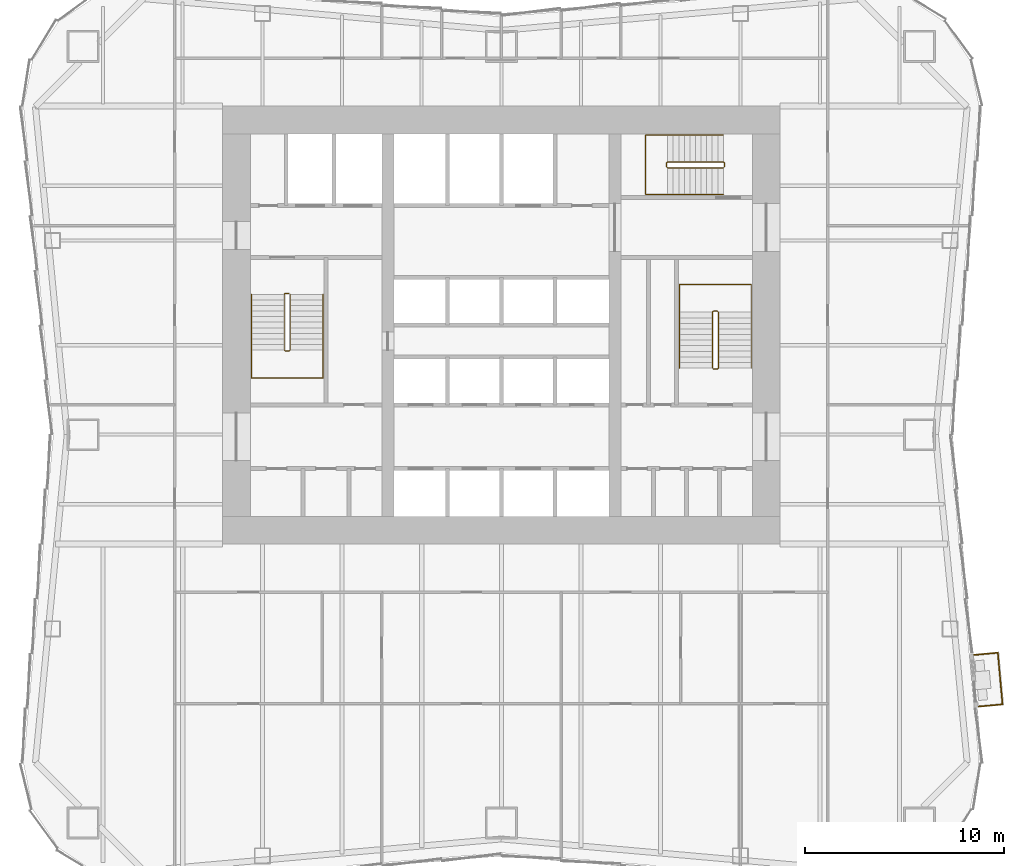
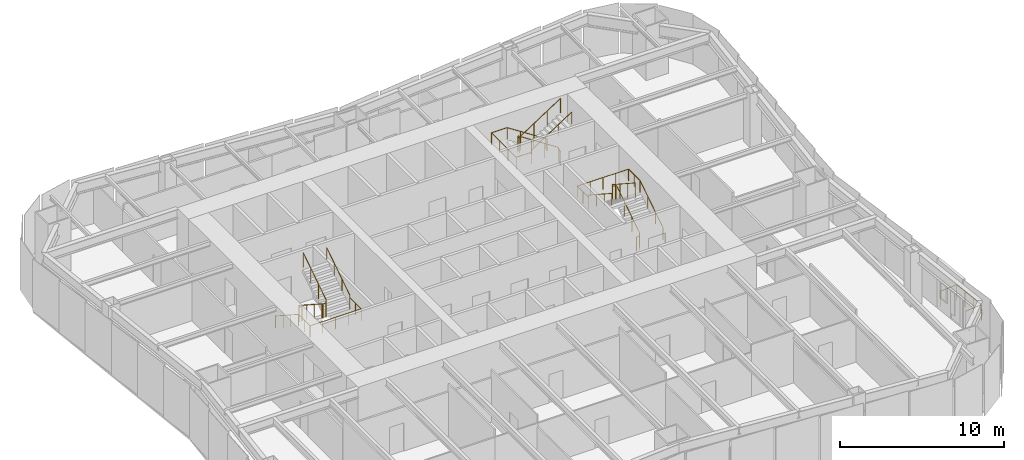
# One storey, part 7 of 8: 7 railings.
"""IFC4 building model written with IfcOpenShell, lengths in metres."""

from ifc_helpers import new_model, si_unit, direction, frame, origin, origin_2d, place, context, subcontext, project, spatial, circle, extrude, material, type_object, element, save


model = new_model("IFC4")

# Units and contexts
model_context = context("Model", 3, precision=1e-05, world=origin(), true_north=direction((0.0, 1.0)))
body_context = subcontext(model_context, "Body", "Model", "MODEL_VIEW")
ifc_project = project(units=[si_unit("LENGTHUNIT", "METRE"), si_unit("AREAUNIT", "SQUARE_METRE"), si_unit("VOLUMEUNIT", "CUBIC_METRE"), si_unit("PLANEANGLEUNIT", "RADIAN"), si_unit("MASSUNIT", "GRAM", prefix="KILO")], contexts=[model_context])

# Site, building, storey
site_placement = place(None, origin())
site = spatial("IfcSite", under=ifc_project, at=site_placement, CompositionType="ELEMENT")
building_placement = place(site_placement, origin())
building = spatial("IfcBuilding", under=site, at=building_placement, Name="Verdant Reach Tower", CompositionType="ELEMENT")
storey_placement = place(building_placement, frame((0.0, 0.0, 42.0)))
storey = spatial("IfcBuildingStorey", under=building, at=storey_placement, Name="L09", CompositionType="ELEMENT", Elevation=42.0)

# Railings
ifc_material_1 = material(Name="Stainless steel", Category="steel")
railing_type_1 = type_object("IfcRailingType", Name="CO-GUARD", PredefinedType="GUARDRAIL", material=ifc_material_1)
railing_1_placement = place(storey_placement, frame((-10.64990234375, 29.60009765625, 0.0)))
element("IfcRailing", 1, at=railing_1_placement, inside=storey, type_object=railing_type_1, Name="L09 ST-1 stair guard 1", PredefinedType="GUARDRAIL", context=body_context, shape_type="SweptSolid", body=[
    extrude(circle(Radius=0.02392578125, at=origin_2d()), frame((0.0, 0.0, 1.076171875), z_axis=(-1.0, 0.0, 0.0), x_axis=(0.0, -1.0, 0.0)), (0.0, 0.0, 1.0), 0.2001953125),
    extrude(circle(Radius=0.02392578125, at=origin_2d()), frame((-0.2001953125, 0.0, 1.076171875), z_axis=(-0.25526617399, -0.256517478764, 0.932222056972), x_axis=(0.708833529934, -0.705375805398, 0.0)), (0.0, 0.0, 1.0), 0.195068359375),
    extrude(circle(Radius=0.02392578125, at=origin_2d()), frame((-0.25, -0.050048828125, 1.2578125), z_axis=(0.0, -0.838705829183, 0.544584733623), x_axis=(1.0, 0.0, 0.0)), (0.0, 0.0, 1.0), 3.338623046875),
    extrude(circle(Radius=0.02392578125, at=origin_2d()), frame((-0.25, -2.85009765625, 3.076171875), z_axis=(0.705375805398, -0.708833529934, 0.0), x_axis=(0.708833529934, 0.705375805398, 0.0)), (0.0, 0.0, 1.0), 0.070556640625),
    extrude(circle(Radius=0.02392578125, at=origin_2d()), frame((-0.2001953125, -2.900146484375, 3.076171875), z_axis=(1.0, 0.0, 0.0), x_axis=(0.0, 1.0, 0.0)), (0.0, 0.0, 1.0), 0.2001953125),
    extrude(circle(Radius=0.02392578125, at=origin_2d()), frame((0.0, -2.900146484375, 3.076171875), z_axis=(0.25526617399, 0.256517478764, 0.932222056972), x_axis=(-0.708833529934, 0.705375805398, 0.0)), (0.0, 0.0, 1.0), 0.195068359375),
    extrude(circle(Radius=0.02392578125, at=origin_2d()), frame((0.0498046875, -2.85009765625, 3.2578125), z_axis=(0.0, 0.838705829183, 0.544584733623), x_axis=(-1.0, 0.0, 0.0)), (0.0, 0.0, 1.0), 3.338623046875),
    extrude(circle(Radius=0.02099609375, at=origin_2d()), origin(), (0.0, 0.0, 1.0), 1.052001953125),
    extrude(circle(Radius=0.02099609375, at=origin_2d()), frame((-0.2001953125, 0.0, 0.0)), (0.0, 0.0, 1.0), 1.052001953125),
    extrude(circle(Radius=0.02099609375, at=origin_2d()), frame((-0.25, -0.050048828125, 0.181884765625)), (0.0, 0.0, 1.0), 1.052001953125),
    extrude(circle(Radius=0.02099609375, at=origin_2d()), frame((-0.25, -0.9833984375, 0.787841796875)), (0.0, 0.0, 1.0), 1.052001953125),
    extrude(circle(Radius=0.02099609375, at=origin_2d()), frame((-0.25, -1.916748046875, 1.39404296875)), (0.0, 0.0, 1.0), 1.052001953125),
    extrude(circle(Radius=0.02099609375, at=origin_2d()), frame((-0.25, -2.85009765625, 2.0)), (0.0, 0.0, 1.0), 1.052001953125),
    extrude(circle(Radius=0.02099609375, at=origin_2d()), frame((-0.2001953125, -2.900146484375, 2.0)), (0.0, 0.0, 1.0), 1.052001953125),
    extrude(circle(Radius=0.02099609375, at=origin_2d()), frame((0.0, -2.900146484375, 2.0)), (0.0, 0.0, 1.0), 1.052001953125),
    extrude(circle(Radius=0.02099609375, at=origin_2d()), frame((0.0498046875, -2.85009765625, 2.181884765625)), (0.0, 0.0, 1.0), 1.052001953125),
    extrude(circle(Radius=0.02099609375, at=origin_2d()), frame((0.0498046875, -1.916748046875, 2.787841796875)), (0.0, 0.0, 1.0), 1.052001953125),
    extrude(circle(Radius=0.02099609375, at=origin_2d()), frame((0.0498046875, -0.9833984375, 3.39404296875)), (0.0, 0.0, 1.0), 1.052001953125),
    extrude(circle(Radius=0.02099609375, at=origin_2d()), frame((0.0498046875, -0.050048828125, 4.0)), (0.0, 0.0, 1.0), 1.052001953125),
])
railing_2_placement = place(storey_placement, frame((10.64990234375, 25.800048828125, 0.0)))
element("IfcRailing", 2, at=railing_2_placement, inside=storey, type_object=railing_type_1, Name="L09 ST-2 stair guard 1", PredefinedType="GUARDRAIL", context=body_context, shape_type="SweptSolid", body=[
    extrude(circle(Radius=0.02392578125, at=origin_2d()), frame((0.0, 0.0, 1.076171875), z_axis=(1.0, 0.0, 0.0), x_axis=(0.0, 1.0, 0.0)), (0.0, 0.0, 1.0), 0.2001953125),
    extrude(circle(Radius=0.02392578125, at=origin_2d()), frame((0.2001953125, 0.0, 1.076171875), z_axis=(0.25526617399, 0.256517478764, 0.932222056972), x_axis=(-0.708833529934, 0.705375805398, 0.0)), (0.0, 0.0, 1.0), 0.195068359375),
    extrude(circle(Radius=0.02392578125, at=origin_2d()), frame((0.25, 0.050048828125, 1.2578125), z_axis=(0.0, 0.83868413941, 0.544618136222), x_axis=(-1.0, 0.0, 0.0)), (0.0, 0.0, 1.0), 3.33837890625),
    extrude(circle(Radius=0.02392578125, at=origin_2d()), frame((0.25, 2.849853515625, 3.076171875), z_axis=(-0.705375805398, 0.708833529934, 0.0), x_axis=(-0.708833529934, -0.705375805398, 0.0)), (0.0, 0.0, 1.0), 0.070556640625),
    extrude(circle(Radius=0.02392578125, at=origin_2d()), frame((0.2001953125, 2.89990234375, 3.076171875), z_axis=(-1.0, 0.0, 0.0), x_axis=(0.0, -1.0, 0.0)), (0.0, 0.0, 1.0), 0.2001953125),
    extrude(circle(Radius=0.02392578125, at=origin_2d()), frame((0.0, 2.89990234375, 3.076171875), z_axis=(-0.25526617399, -0.256517478764, 0.932222056972), x_axis=(0.708833529934, -0.705375805398, 0.0)), (0.0, 0.0, 1.0), 0.195068359375),
    extrude(circle(Radius=0.02392578125, at=origin_2d()), frame((-0.0498046875, 2.849853515625, 3.2578125), z_axis=(0.0, -0.83868413941, 0.544618136222), x_axis=(1.0, 0.0, 0.0)), (0.0, 0.0, 1.0), 3.33837890625),
    extrude(circle(Radius=0.02099609375, at=origin_2d()), origin(), (0.0, 0.0, 1.0), 1.052001953125),
    extrude(circle(Radius=0.02099609375, at=origin_2d()), frame((0.2001953125, 0.0, 0.0)), (0.0, 0.0, 1.0), 1.052001953125),
    extrude(circle(Radius=0.02099609375, at=origin_2d()), frame((0.25, 0.050048828125, 0.181884765625)), (0.0, 0.0, 1.0), 1.052001953125),
    extrude(circle(Radius=0.02099609375, at=origin_2d()), frame((0.25, 0.9833984375, 0.787841796875)), (0.0, 0.0, 1.0), 1.052001953125),
    extrude(circle(Radius=0.02099609375, at=origin_2d()), frame((0.25, 1.91650390625, 1.39404296875)), (0.0, 0.0, 1.0), 1.052001953125),
    extrude(circle(Radius=0.02099609375, at=origin_2d()), frame((0.25, 2.849853515625, 2.0)), (0.0, 0.0, 1.0), 1.052001953125),
    extrude(circle(Radius=0.02099609375, at=origin_2d()), frame((0.2001953125, 2.89990234375, 2.0)), (0.0, 0.0, 1.0), 1.052001953125),
    extrude(circle(Radius=0.02099609375, at=origin_2d()), frame((0.0, 2.89990234375, 2.0)), (0.0, 0.0, 1.0), 1.052001953125),
    extrude(circle(Radius=0.02099609375, at=origin_2d()), frame((-0.0498046875, 2.849853515625, 2.181884765625)), (0.0, 0.0, 1.0), 1.052001953125),
    extrude(circle(Radius=0.02099609375, at=origin_2d()), frame((-0.0498046875, 1.91650390625, 2.787841796875)), (0.0, 0.0, 1.0), 1.052001953125),
    extrude(circle(Radius=0.02099609375, at=origin_2d()), frame((-0.0498046875, 0.9833984375, 3.39404296875)), (0.0, 0.0, 1.0), 1.052001953125),
    extrude(circle(Radius=0.02099609375, at=origin_2d()), frame((-0.0498046875, 0.050048828125, 4.0)), (0.0, 0.0, 1.0), 1.052001953125),
])
railing_3_placement = place(storey_placement, frame((11.199951171875, 35.949951171875, 0.0)))
element("IfcRailing", 3, at=railing_3_placement, inside=storey, type_object=railing_type_1, Name="L09 ST-3 stair guard 1", PredefinedType="GUARDRAIL", context=body_context, shape_type="SweptSolid", body=[
    extrude(circle(Radius=0.02392578125, at=origin_2d()), frame((0.0, 0.0, 1.076171875), z_axis=(0.0, 1.0, 0.0), x_axis=(-1.0, 0.0, 0.0)), (0.0, 0.0, 1.0), 0.199951171875),
    extrude(circle(Radius=0.02392578125, at=origin_2d()), frame((0.0, 0.199951171875, 1.076171875), z_axis=(-0.256435381639, 0.256435381639, 0.931923704005), x_axis=(-0.707106781187, -0.707106781187, 0.0)), (0.0, 0.0, 1.0), 0.195068359375),
    extrude(circle(Radius=0.02392578125, at=origin_2d()), frame((-0.050048828125, 0.25, 1.2578125), z_axis=(-0.83868413941, 0.0, 0.544618136222), x_axis=(0.0, -1.0, 0.0)), (0.0, 0.0, 1.0), 3.33837890625),
    extrude(circle(Radius=0.02392578125, at=origin_2d()), frame((-2.849853515625, 0.25, 3.076171875), z_axis=(-0.707106781187, -0.707106781187, 0.0), x_axis=(0.707106781187, -0.707106781187, 0.0)), (0.0, 0.0, 1.0), 0.07080078125),
    extrude(circle(Radius=0.02392578125, at=origin_2d()), frame((-2.89990234375, 0.199951171875, 3.076171875), z_axis=(0.0, -1.0, 0.0), x_axis=(1.0, 0.0, 0.0)), (0.0, 0.0, 1.0), 0.199951171875),
    extrude(circle(Radius=0.02392578125, at=origin_2d()), frame((-2.89990234375, 0.0, 3.076171875), z_axis=(0.256435381639, -0.256435381639, 0.931923704005), x_axis=(0.707106781187, 0.707106781187, 0.0)), (0.0, 0.0, 1.0), 0.195068359375),
    extrude(circle(Radius=0.02392578125, at=origin_2d()), frame((-2.849853515625, -0.050048828125, 3.2578125), z_axis=(0.83868413941, 0.0, 0.544618136222), x_axis=(0.0, 1.0, 0.0)), (0.0, 0.0, 1.0), 3.33837890625),
    extrude(circle(Radius=0.02099609375, at=origin_2d()), origin(), (0.0, 0.0, 1.0), 1.052001953125),
    extrude(circle(Radius=0.02099609375, at=origin_2d()), frame((0.0, 0.199951171875, 0.0)), (0.0, 0.0, 1.0), 1.052001953125),
    extrude(circle(Radius=0.02099609375, at=origin_2d()), frame((-0.050048828125, 0.25, 0.181884765625)), (0.0, 0.0, 1.0), 1.052001953125),
    extrude(circle(Radius=0.02099609375, at=origin_2d()), frame((-0.9833984375, 0.25, 0.787841796875)), (0.0, 0.0, 1.0), 1.052001953125),
    extrude(circle(Radius=0.02099609375, at=origin_2d()), frame((-1.91650390625, 0.25, 1.39404296875)), (0.0, 0.0, 1.0), 1.052001953125),
    extrude(circle(Radius=0.02099609375, at=origin_2d()), frame((-2.849853515625, 0.25, 2.0)), (0.0, 0.0, 1.0), 1.052001953125),
    extrude(circle(Radius=0.02099609375, at=origin_2d()), frame((-2.89990234375, 0.199951171875, 2.0)), (0.0, 0.0, 1.0), 1.052001953125),
    extrude(circle(Radius=0.02099609375, at=origin_2d()), frame((-2.89990234375, 0.0, 2.0)), (0.0, 0.0, 1.0), 1.052001953125),
    extrude(circle(Radius=0.02099609375, at=origin_2d()), frame((-2.849853515625, -0.050048828125, 2.181884765625)), (0.0, 0.0, 1.0), 1.052001953125),
    extrude(circle(Radius=0.02099609375, at=origin_2d()), frame((-1.91650390625, -0.050048828125, 2.787841796875)), (0.0, 0.0, 1.0), 1.052001953125),
    extrude(circle(Radius=0.02099609375, at=origin_2d()), frame((-0.9833984375, -0.050048828125, 3.39404296875)), (0.0, 0.0, 1.0), 1.052001953125),
    extrude(circle(Radius=0.02099609375, at=origin_2d()), frame((-0.050048828125, -0.050048828125, 4.0)), (0.0, 0.0, 1.0), 1.052001953125),
])
railing_type_2 = type_object("IfcRailingType", Name="CO-HANDRAIL", PredefinedType="HANDRAIL", material=ifc_material_1)
railing_4_placement = place(storey_placement, frame((-12.550048828125, 29.550048828125, 0.181884765625)))
element("IfcRailing", 4, at=railing_4_placement, inside=storey, type_object=railing_type_2, Name="L09 ST-1 stair handrail 1", PredefinedType="HANDRAIL", context=body_context, shape_type="SweptSolid", body=[
    extrude(circle(Radius=0.02392578125, at=origin_2d()), frame((0.0, 0.0, 0.8759765625), z_axis=(0.0, -0.838705829183, 0.544584733623), x_axis=(1.0, 0.0, 0.0)), (0.0, 0.0, 1.0), 3.338623046875),
    extrude(circle(Radius=0.02392578125, at=origin_2d()), frame((0.0, -2.800048828125, 2.69384765625), z_axis=(0.0, -1.0, 0.0), x_axis=(1.0, 0.0, 0.0)), (0.0, 0.0, 1.0), 1.39990234375),
    extrude(circle(Radius=0.02392578125, at=origin_2d()), frame((0.0, -4.199951171875, 2.69384765625), z_axis=(1.0, 0.0, 0.0), x_axis=(0.0, 1.0, 0.0)), (0.0, 0.0, 1.0), 3.60009765625),
    extrude(circle(Radius=0.02392578125, at=origin_2d()), frame((3.60009765625, -4.199951171875, 2.69384765625), z_axis=(0.0, 1.0, 0.0), x_axis=(-1.0, 0.0, 0.0)), (0.0, 0.0, 1.0), 1.39990234375),
    extrude(circle(Radius=0.02392578125, at=origin_2d()), frame((3.60009765625, -2.800048828125, 2.69384765625), z_axis=(0.0, 0.0, 1.0), x_axis=(1.0, 0.0, 0.0)), (0.0, 0.0, 1.0), 0.181884765625),
    extrude(circle(Radius=0.02392578125, at=origin_2d()), frame((3.60009765625, -2.800048828125, 2.8759765625), z_axis=(0.0, 0.838705829183, 0.544584733623), x_axis=(-1.0, 0.0, 0.0)), (0.0, 0.0, 1.0), 3.338623046875),
    extrude(circle(Radius=0.02099609375, at=origin_2d()), origin(), (0.0, 0.0, 1.0), 0.851806640625),
    extrude(circle(Radius=0.02099609375, at=origin_2d()), frame((0.0, -0.933349609375, 0.60595703125)), (0.0, 0.0, 1.0), 0.851806640625),
    extrude(circle(Radius=0.02099609375, at=origin_2d()), frame((0.0, -1.86669921875, 1.212158203125)), (0.0, 0.0, 1.0), 0.851806640625),
    extrude(circle(Radius=0.02099609375, at=origin_2d()), frame((0.0, -2.800048828125, 1.818115234375)), (0.0, 0.0, 1.0), 0.851806640625),
    extrude(circle(Radius=0.02099609375, at=origin_2d()), frame((0.0, -3.5, 1.818115234375)), (0.0, 0.0, 1.0), 0.851806640625),
    extrude(circle(Radius=0.02099609375, at=origin_2d()), frame((0.0, -4.199951171875, 1.818115234375)), (0.0, 0.0, 1.0), 0.851806640625),
    extrude(circle(Radius=0.02099609375, at=origin_2d()), frame((0.89990234375, -4.199951171875, 1.818115234375)), (0.0, 0.0, 1.0), 0.851806640625),
    extrude(circle(Radius=0.02099609375, at=origin_2d()), frame((1.800048828125, -4.199951171875, 1.818115234375)), (0.0, 0.0, 1.0), 0.851806640625),
    extrude(circle(Radius=0.02099609375, at=origin_2d()), frame((2.7001953125, -4.199951171875, 1.818115234375)), (0.0, 0.0, 1.0), 0.851806640625),
    extrude(circle(Radius=0.02099609375, at=origin_2d()), frame((3.60009765625, -4.199951171875, 1.818115234375)), (0.0, 0.0, 1.0), 0.851806640625),
    extrude(circle(Radius=0.02099609375, at=origin_2d()), frame((3.60009765625, -3.5, 1.818115234375)), (0.0, 0.0, 1.0), 0.851806640625),
    extrude(circle(Radius=0.02099609375, at=origin_2d()), frame((3.60009765625, -2.800048828125, 1.818115234375)), (0.0, 0.0, 1.0), 0.851806640625),
    extrude(circle(Radius=0.02099609375, at=origin_2d()), frame((3.60009765625, -2.800048828125, 2.0)), (0.0, 0.0, 1.0), 0.851806640625),
    extrude(circle(Radius=0.02099609375, at=origin_2d()), frame((3.60009765625, -1.86669921875, 2.60595703125)), (0.0, 0.0, 1.0), 0.851806640625),
    extrude(circle(Radius=0.02099609375, at=origin_2d()), frame((3.60009765625, -0.933349609375, 3.212158203125)), (0.0, 0.0, 1.0), 0.851806640625),
    extrude(circle(Radius=0.02099609375, at=origin_2d()), frame((3.60009765625, 0.0, 3.818115234375)), (0.0, 0.0, 1.0), 0.851806640625),
])
railing_5_placement = place(storey_placement, frame((12.550048828125, 25.85009765625, 0.181884765625)))
element("IfcRailing", 5, at=railing_5_placement, inside=storey, type_object=railing_type_2, Name="L09 ST-2 stair handrail 1", PredefinedType="HANDRAIL", context=body_context, shape_type="SweptSolid", body=[
    extrude(circle(Radius=0.02392578125, at=origin_2d()), frame((0.0, 0.0, 0.8759765625), z_axis=(0.0, 0.83868413941, 0.544618136222), x_axis=(-1.0, 0.0, 0.0)), (0.0, 0.0, 1.0), 3.33837890625),
    extrude(circle(Radius=0.02392578125, at=origin_2d()), frame((0.0, 2.7998046875, 2.69384765625), z_axis=(0.0, 1.0, 0.0), x_axis=(-1.0, 0.0, 0.0)), (0.0, 0.0, 1.0), 1.400146484375),
    extrude(circle(Radius=0.02392578125, at=origin_2d()), frame((0.0, 4.199951171875, 2.69384765625), z_axis=(-1.0, 0.0, 0.0), x_axis=(0.0, -1.0, 0.0)), (0.0, 0.0, 1.0), 3.60009765625),
    extrude(circle(Radius=0.02392578125, at=origin_2d()), frame((-3.60009765625, 4.199951171875, 2.69384765625), z_axis=(0.0, -1.0, 0.0), x_axis=(1.0, 0.0, 0.0)), (0.0, 0.0, 1.0), 1.400146484375),
    extrude(circle(Radius=0.02392578125, at=origin_2d()), frame((-3.60009765625, 2.7998046875, 2.69384765625), z_axis=(0.0, 0.0, 1.0), x_axis=(1.0, 0.0, 0.0)), (0.0, 0.0, 1.0), 0.181884765625),
    extrude(circle(Radius=0.02392578125, at=origin_2d()), frame((-3.60009765625, 2.7998046875, 2.8759765625), z_axis=(0.0, -0.83868413941, 0.544618136222), x_axis=(1.0, 0.0, 0.0)), (0.0, 0.0, 1.0), 3.33837890625),
    extrude(circle(Radius=0.02099609375, at=origin_2d()), origin(), (0.0, 0.0, 1.0), 0.851806640625),
    extrude(circle(Radius=0.02099609375, at=origin_2d()), frame((0.0, 0.933349609375, 0.60595703125)), (0.0, 0.0, 1.0), 0.851806640625),
    extrude(circle(Radius=0.02099609375, at=origin_2d()), frame((0.0, 1.866455078125, 1.212158203125)), (0.0, 0.0, 1.0), 0.851806640625),
    extrude(circle(Radius=0.02099609375, at=origin_2d()), frame((0.0, 2.7998046875, 1.818115234375)), (0.0, 0.0, 1.0), 0.851806640625),
    extrude(circle(Radius=0.02099609375, at=origin_2d()), frame((0.0, 3.5, 1.818115234375)), (0.0, 0.0, 1.0), 0.851806640625),
    extrude(circle(Radius=0.02099609375, at=origin_2d()), frame((0.0, 4.199951171875, 1.818115234375)), (0.0, 0.0, 1.0), 0.851806640625),
    extrude(circle(Radius=0.02099609375, at=origin_2d()), frame((-0.89990234375, 4.199951171875, 1.818115234375)), (0.0, 0.0, 1.0), 0.851806640625),
    extrude(circle(Radius=0.02099609375, at=origin_2d()), frame((-1.800048828125, 4.199951171875, 1.818115234375)), (0.0, 0.0, 1.0), 0.851806640625),
    extrude(circle(Radius=0.02099609375, at=origin_2d()), frame((-2.7001953125, 4.199951171875, 1.818115234375)), (0.0, 0.0, 1.0), 0.851806640625),
    extrude(circle(Radius=0.02099609375, at=origin_2d()), frame((-3.60009765625, 4.199951171875, 1.818115234375)), (0.0, 0.0, 1.0), 0.851806640625),
    extrude(circle(Radius=0.02099609375, at=origin_2d()), frame((-3.60009765625, 3.5, 1.818115234375)), (0.0, 0.0, 1.0), 0.851806640625),
    extrude(circle(Radius=0.02099609375, at=origin_2d()), frame((-3.60009765625, 2.7998046875, 1.818115234375)), (0.0, 0.0, 1.0), 0.851806640625),
    extrude(circle(Radius=0.02099609375, at=origin_2d()), frame((-3.60009765625, 2.7998046875, 2.0)), (0.0, 0.0, 1.0), 0.851806640625),
    extrude(circle(Radius=0.02099609375, at=origin_2d()), frame((-3.60009765625, 1.866455078125, 2.60595703125)), (0.0, 0.0, 1.0), 0.851806640625),
    extrude(circle(Radius=0.02099609375, at=origin_2d()), frame((-3.60009765625, 0.933349609375, 3.212158203125)), (0.0, 0.0, 1.0), 0.851806640625),
    extrude(circle(Radius=0.02099609375, at=origin_2d()), frame((-3.60009765625, 0.0, 3.818115234375)), (0.0, 0.0, 1.0), 0.851806640625),
])
railing_6_placement = place(storey_placement, frame((11.14990234375, 37.550048828125, 0.181884765625)))
element("IfcRailing", 6, at=railing_6_placement, inside=storey, type_object=railing_type_2, Name="L09 ST-3 stair handrail 1", PredefinedType="HANDRAIL", context=body_context, shape_type="SweptSolid", body=[
    extrude(circle(Radius=0.02392578125, at=origin_2d()), frame((0.0, 0.0, 0.8759765625), z_axis=(-0.83868413941, 0.0, 0.544618136222), x_axis=(0.0, -1.0, 0.0)), (0.0, 0.0, 1.0), 3.33837890625),
    extrude(circle(Radius=0.02392578125, at=origin_2d()), frame((-2.7998046875, 0.0, 2.69384765625), z_axis=(-1.0, 0.0, 0.0), x_axis=(0.0, -1.0, 0.0)), (0.0, 0.0, 1.0), 1.10009765625),
    extrude(circle(Radius=0.02392578125, at=origin_2d()), frame((-3.89990234375, 0.0, 2.69384765625), z_axis=(0.0, -1.0, 0.0), x_axis=(1.0, 0.0, 0.0)), (0.0, 0.0, 1.0), 3.0),
    extrude(circle(Radius=0.02392578125, at=origin_2d()), frame((-3.89990234375, -3.0, 2.69384765625), z_axis=(1.0, 0.0, 0.0), x_axis=(0.0, 1.0, 0.0)), (0.0, 0.0, 1.0), 1.10009765625),
    extrude(circle(Radius=0.02392578125, at=origin_2d()), frame((-2.7998046875, -3.0, 2.69384765625), z_axis=(0.0, 0.0, 1.0), x_axis=(1.0, 0.0, 0.0)), (0.0, 0.0, 1.0), 0.181884765625),
    extrude(circle(Radius=0.02392578125, at=origin_2d()), frame((-2.7998046875, -3.0, 2.8759765625), z_axis=(0.83868413941, 0.0, 0.544618136222), x_axis=(0.0, 1.0, 0.0)), (0.0, 0.0, 1.0), 3.33837890625),
    extrude(circle(Radius=0.02099609375, at=origin_2d()), origin(), (0.0, 0.0, 1.0), 0.851806640625),
    extrude(circle(Radius=0.02099609375, at=origin_2d()), frame((-0.933349609375, 0.0, 0.60595703125)), (0.0, 0.0, 1.0), 0.851806640625),
    extrude(circle(Radius=0.02099609375, at=origin_2d()), frame((-1.866455078125, 0.0, 1.212158203125)), (0.0, 0.0, 1.0), 0.851806640625),
    extrude(circle(Radius=0.02099609375, at=origin_2d()), frame((-2.7998046875, 0.0, 1.818115234375)), (0.0, 0.0, 1.0), 0.851806640625),
    extrude(circle(Radius=0.02099609375, at=origin_2d()), frame((-3.89990234375, 0.0, 1.818115234375)), (0.0, 0.0, 1.0), 0.851806640625),
    extrude(circle(Radius=0.02099609375, at=origin_2d()), frame((-3.89990234375, -1.0, 1.818115234375)), (0.0, 0.0, 1.0), 0.851806640625),
    extrude(circle(Radius=0.02099609375, at=origin_2d()), frame((-3.89990234375, -2.0, 1.818115234375)), (0.0, 0.0, 1.0), 0.851806640625),
    extrude(circle(Radius=0.02099609375, at=origin_2d()), frame((-3.89990234375, -3.0, 1.818115234375)), (0.0, 0.0, 1.0), 0.851806640625),
    extrude(circle(Radius=0.02099609375, at=origin_2d()), frame((-2.7998046875, -3.0, 1.818115234375)), (0.0, 0.0, 1.0), 0.851806640625),
    extrude(circle(Radius=0.02099609375, at=origin_2d()), frame((-2.7998046875, -3.0, 2.0)), (0.0, 0.0, 1.0), 0.851806640625),
    extrude(circle(Radius=0.02099609375, at=origin_2d()), frame((-1.866455078125, -3.0, 2.60595703125)), (0.0, 0.0, 1.0), 0.851806640625),
    extrude(circle(Radius=0.02099609375, at=origin_2d()), frame((-0.933349609375, -3.0, 3.212158203125)), (0.0, 0.0, 1.0), 0.851806640625),
    extrude(circle(Radius=0.02099609375, at=origin_2d()), frame((0.0, -3.0, 3.818115234375)), (0.0, 0.0, 1.0), 0.851806640625),
])
ifc_material_2 = material(Name="Stainless steel and laminated glass balustrade", Category="steel")
railing_type_3 = type_object("IfcRailingType", Name="EN-RAILING BALCONY", PredefinedType="GUARDRAIL", material=ifc_material_2)
railing_7_placement = place(storey_placement, frame((23.971923828125, 8.8505859375, 0.0)))
element("IfcRailing", 7, at=railing_7_placement, inside=storey, type_object=railing_type_3, Name="Balcony guard 1, L09", PredefinedType="GUARDRAIL", context=body_context, shape_type="SweptSolid", body=[
    extrude(circle(Radius=0.02490234375, at=origin_2d()), frame((0.0, 0.0, 1.1748046875), z_axis=(0.995893206468, 0.090535746043, 0.0), x_axis=(-0.090535746043, 0.995893206468, 0.0)), (0.0, 0.0, 1.0), 1.199951171875),
    extrude(circle(Radius=0.02490234375, at=origin_2d()), frame((1.195068359375, 0.108642578125, 1.1748046875), z_axis=(-0.090569595155, 0.995890128696, 0.0), x_axis=(-0.995890128696, -0.090569595155, 0.0)), (0.0, 0.0, 1.0), 2.601318359375),
    extrude(circle(Radius=0.02490234375, at=origin_2d()), frame((0.95947265625, 2.69921875, 1.1748046875), z_axis=(-0.995893206468, -0.090535746043, 0.0), x_axis=(0.090535746043, -0.995893206468, 0.0)), (0.0, 0.0, 1.0), 1.199951171875),
    extrude(circle(Radius=0.02490234375, at=origin_2d()), origin(), (0.0, 0.0, 1.0), 1.14990234375),
    extrude(circle(Radius=0.02490234375, at=origin_2d()), frame((1.195068359375, 0.108642578125, 0.0)), (0.0, 0.0, 1.0), 1.14990234375),
    extrude(circle(Radius=0.02490234375, at=origin_2d()), frame((1.116455078125, 0.97216796875, 0.0)), (0.0, 0.0, 1.0), 1.14990234375),
    extrude(circle(Radius=0.02490234375, at=origin_2d()), frame((1.0380859375, 1.835693359375, 0.0)), (0.0, 0.0, 1.0), 1.14990234375),
    extrude(circle(Radius=0.02490234375, at=origin_2d()), frame((0.95947265625, 2.69921875, 0.0)), (0.0, 0.0, 1.0), 1.14990234375),
    extrude(circle(Radius=0.02490234375, at=origin_2d()), frame((-0.235595703125, 2.590576171875, 0.0)), (0.0, 0.0, 1.0), 1.14990234375),
])

save(model, "model.ifc")
